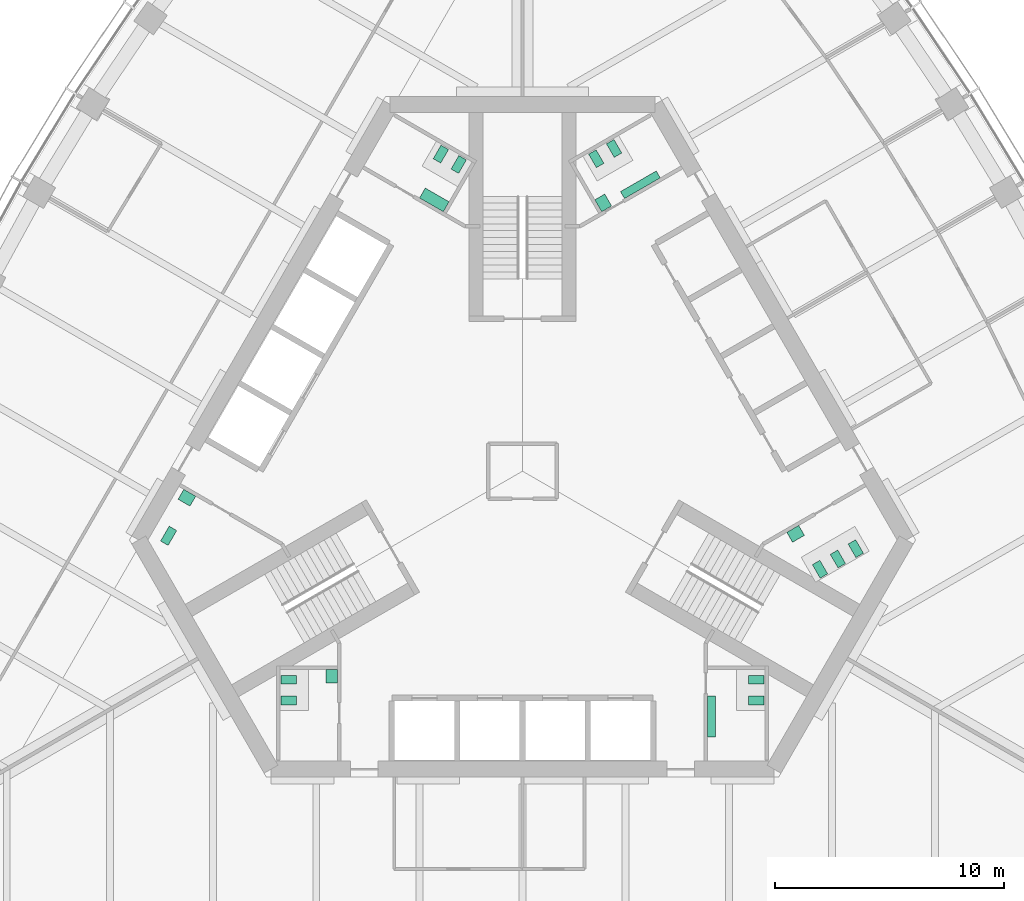
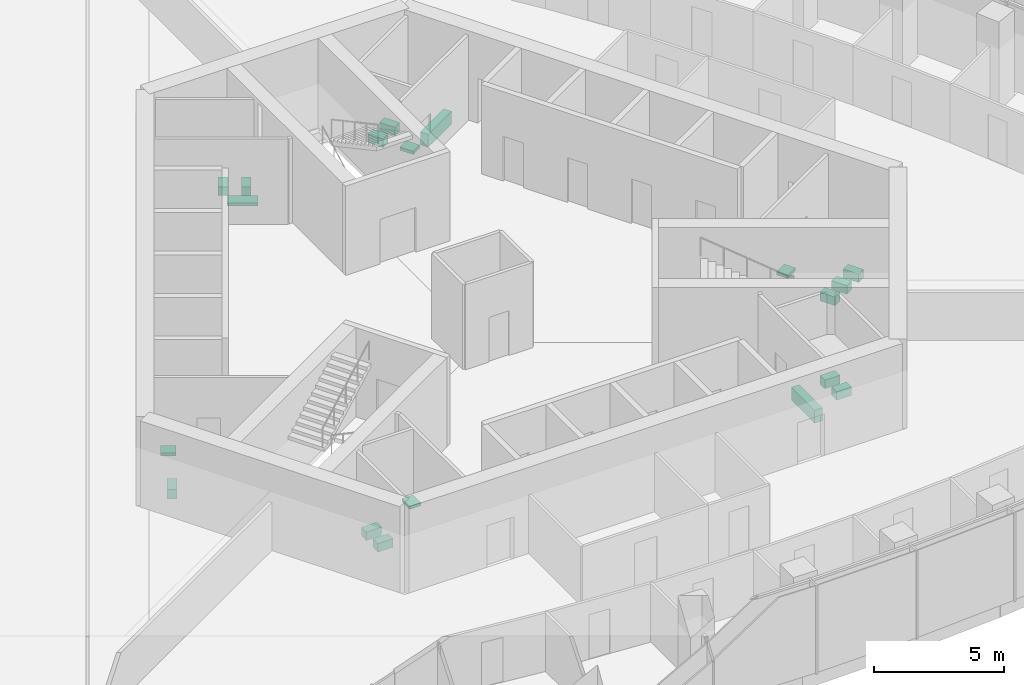
# One storey, part 19 of 20: 19 sanitary terminals.
"""IFC4 building model written with IfcOpenShell, lengths in metres."""

from ifc_helpers import new_model, si_unit, direction, frame, origin, place, context, subcontext, project, spatial, polyline, outline, extrude, material, type_object, element, save


model = new_model("IFC4")

# Units and contexts
model_context = context("Model", 3, precision=1e-05, world=origin(), true_north=direction((0.0, 1.0)))
body_context = subcontext(model_context, "Body", "Model", "MODEL_VIEW")
ifc_project = project(units=[si_unit("LENGTHUNIT", "METRE"), si_unit("AREAUNIT", "SQUARE_METRE"), si_unit("VOLUMEUNIT", "CUBIC_METRE"), si_unit("PLANEANGLEUNIT", "RADIAN"), si_unit("MASSUNIT", "GRAM", prefix="KILO")], contexts=[model_context])

# Site, building, storey
site_placement = place(None, origin())
site = spatial("IfcSite", under=ifc_project, at=site_placement, CompositionType="ELEMENT")
building_placement = place(site_placement, origin())
building = spatial("IfcBuilding", under=site, at=building_placement, Name="Trefoil Bronze Tower", CompositionType="ELEMENT")
storey_placement = place(building_placement, frame((0.0, 0.0, 231.699951171875)))
storey = spatial("IfcBuildingStorey", under=building, at=storey_placement, Name="L53", CompositionType="ELEMENT", Elevation=231.699951171875)

# Sanitary terminals
ifc_material_1 = material(Name="Vitreous china", Category="ceramic")
sanitary_terminal_type_1 = type_object("IfcSanitaryTerminalType", Name="Accessible WC pan", PredefinedType="TOILETPAN", material=ifc_material_1)
sanitary_terminal_1_placement = place(storey_placement, origin())
element("IfcSanitaryTerminal", 1, at=sanitary_terminal_1_placement, inside=storey, type_object=sanitary_terminal_type_1, Name="WC pan 1 Accessible WC L53", PredefinedType="TOILETPAN", context=body_context, shape_type="SweptSolid", body=[
    extrude(outline(polyline([(-15.085693359375, -2.589111328125), (-15.460693359375, -3.238525390625), (-15.789794921875, -3.048583984375), (-15.414794921875, -2.399169921875), (-15.085693359375, -2.589111328125)])), origin(), (0.0, 0.0, 1.0), 0.449951171875),
])
ifc_material_2 = material(Name="Vitreous china", Category="ceramic")
sanitary_terminal_type_2 = type_object("IfcSanitaryTerminalType", Name="Accessible basin", PredefinedType="WASHHANDBASIN", material=ifc_material_2)
sanitary_terminal_2_placement = place(storey_placement, frame((0.0, 0.0, 0.650146484375)))
element("IfcSanitaryTerminal", 2, at=sanitary_terminal_2_placement, inside=storey, type_object=sanitary_terminal_type_2, Name="Wash basin Accessible WC L53", PredefinedType="WASHHANDBASIN", context=body_context, shape_type="SweptSolid", body=[
    extrude(outline(polyline([(-14.256591796875, -1.09326171875), (-14.506591796875, -1.526123046875), (-15.026123046875, -1.22607421875), (-14.776123046875, -0.793212890625), (-14.256591796875, -1.09326171875)])), origin(), (0.0, 0.0, 1.0), 0.14990234375),
])
ifc_material_3 = material(Name="Vitreous china", Category="ceramic")
sanitary_terminal_type_3 = type_object("IfcSanitaryTerminalType", Name="Urinal range 3 urinals", PredefinedType="URINAL", material=ifc_material_3)
sanitary_terminal_3_placement = place(storey_placement, frame((0.0, 0.0, 0.400146484375)))
element("IfcSanitaryTerminal", 3, at=sanitary_terminal_3_placement, inside=storey, type_object=sanitary_terminal_type_3, Name="Urinal range WC (men) L53", PredefinedType="URINAL", context=body_context, shape_type="SweptSolid", body=[
    extrude(outline(polyline([(8.074951171875, -9.800048828125), (8.425048828125, -9.800048828125), (8.425048828125, -11.60009765625), (8.074951171875, -11.60009765625), (8.074951171875, -9.800048828125)])), origin(), (0.0, 0.0, 1.0), 0.599853515625),
])
sanitary_terminal_4_placement = place(storey_placement, frame((0.0, 0.0, 0.400146484375)))
element("IfcSanitaryTerminal", 4, at=sanitary_terminal_4_placement, inside=storey, type_object=sanitary_terminal_type_3, Name="Urinal range WC (men) L53", PredefinedType="URINAL", context=body_context, shape_type="SweptSolid", body=[
    extrude(outline(polyline([(4.449462890625, 11.89306640625), (4.274658203125, 12.1962890625), (5.83349609375, 13.09619140625), (6.00830078125, 12.793212890625), (4.449462890625, 11.89306640625)])), origin(), (0.0, 0.0, 1.0), 0.599853515625),
])
ifc_material_4 = material(Name="Solid surface vanity", Category="plastic")
sanitary_terminal_type_4 = type_object("IfcSanitaryTerminalType", Name="Vanity unit 1 basins", PredefinedType="WASHHANDBASIN", material=ifc_material_4)
sanitary_terminal_5_placement = place(storey_placement, frame((0.0, 0.0, 0.75)))
element("IfcSanitaryTerminal", 5, at=sanitary_terminal_5_placement, inside=storey, type_object=sanitary_terminal_type_4, Name="Vanity unit WC (women) L53", PredefinedType="WASHHANDBASIN", context=body_context, shape_type="SweptSolid", body=[
    extrude(outline(polyline([(11.528564453125, -2.668212890625), (11.778564453125, -3.10107421875), (12.29833984375, -2.80126953125), (12.04833984375, -2.3681640625), (11.528564453125, -2.668212890625)])), origin(), (0.0, 0.0, 1.0), 0.150146484375),
])
sanitary_terminal_6_placement = place(storey_placement, frame((0.0, 0.0, 0.75)))
element("IfcSanitaryTerminal", 6, at=sanitary_terminal_6_placement, inside=storey, type_object=sanitary_terminal_type_4, Name="Vanity unit WC (men) L53", PredefinedType="WASHHANDBASIN", context=body_context, shape_type="SweptSolid", body=[
    extrude(outline(polyline([(3.45361328125, 11.318115234375), (3.153564453125, 11.837890625), (3.586669921875, 12.087890625), (3.88671875, 11.568115234375), (3.45361328125, 11.318115234375)])), origin(), (0.0, 0.0, 1.0), 0.150146484375),
])
sanitary_terminal_7_placement = place(storey_placement, frame((0.0, 0.0, 0.75)))
element("IfcSanitaryTerminal", 7, at=sanitary_terminal_7_placement, inside=storey, type_object=sanitary_terminal_type_4, Name="Vanity unit WC (women) L53", PredefinedType="WASHHANDBASIN", context=body_context, shape_type="SweptSolid", body=[
    extrude(outline(polyline([(-8.074951171875, -8.64990234375), (-8.574951171875, -8.64990234375), (-8.574951171875, -9.25), (-8.074951171875, -9.25), (-8.074951171875, -8.64990234375)])), origin(), (0.0, 0.0, 1.0), 0.150146484375),
])
ifc_material_5 = material(Name="Solid surface vanity", Category="plastic")
sanitary_terminal_type_5 = type_object("IfcSanitaryTerminalType", Name="Vanity unit 2 basins", PredefinedType="WASHHANDBASIN", material=ifc_material_5)
sanitary_terminal_8_placement = place(storey_placement, frame((0.0, 0.0, 0.75)))
element("IfcSanitaryTerminal", 8, at=sanitary_terminal_8_placement, inside=storey, type_object=sanitary_terminal_type_5, Name="Vanity unit WC (women) L53", PredefinedType="WASHHANDBASIN", context=body_context, shape_type="SweptSolid", body=[
    extrude(outline(polyline([(-3.45361328125, 11.318115234375), (-3.20361328125, 11.751220703125), (-4.242919921875, 12.35107421875), (-4.492919921875, 11.918212890625), (-3.45361328125, 11.318115234375)])), origin(), (0.0, 0.0, 1.0), 0.150146484375),
])
ifc_material_6 = material(Name="Vitreous china", Category="ceramic")
sanitary_terminal_type_6 = type_object("IfcSanitaryTerminalType", Name="WC pan", PredefinedType="TOILETPAN", material=ifc_material_6)
sanitary_terminal_9_placement = place(storey_placement, origin())
element("IfcSanitaryTerminal", 9, at=sanitary_terminal_9_placement, inside=storey, type_object=sanitary_terminal_type_6, Name="WC pan 1 WC (men) L53", PredefinedType="TOILETPAN", context=body_context, shape_type="SweptSolid", body=[
    extrude(outline(polyline([(9.85498046875, -8.909912109375), (10.534912109375, -8.909912109375), (10.534912109375, -9.2900390625), (9.85498046875, -9.2900390625), (9.85498046875, -8.909912109375)])), origin(), (0.0, 0.0, 1.0), 0.400146484375),
])
sanitary_terminal_10_placement = place(storey_placement, origin())
element("IfcSanitaryTerminal", 10, at=sanitary_terminal_10_placement, inside=storey, type_object=sanitary_terminal_type_6, Name="WC pan 2 WC (men) L53", PredefinedType="TOILETPAN", context=body_context, shape_type="SweptSolid", body=[
    extrude(outline(polyline([(9.85498046875, -9.81005859375), (10.534912109375, -9.81005859375), (10.534912109375, -10.18994140625), (9.85498046875, -10.18994140625), (9.85498046875, -9.81005859375)])), origin(), (0.0, 0.0, 1.0), 0.400146484375),
])
sanitary_terminal_11_placement = place(storey_placement, origin())
element("IfcSanitaryTerminal", 11, at=sanitary_terminal_11_placement, inside=storey, type_object=sanitary_terminal_type_6, Name="WC pan 1 WC (women) L53", PredefinedType="TOILETPAN", context=body_context, shape_type="SweptSolid", body=[
    extrude(outline(polyline([(12.643798828125, -4.07958984375), (12.98388671875, -4.66845703125), (13.31298828125, -4.478515625), (12.972900390625, -3.8896484375), (12.643798828125, -4.07958984375)])), origin(), (0.0, 0.0, 1.0), 0.400146484375),
])
sanitary_terminal_12_placement = place(storey_placement, origin())
element("IfcSanitaryTerminal", 12, at=sanitary_terminal_12_placement, inside=storey, type_object=sanitary_terminal_type_6, Name="WC pan 2 WC (women) L53", PredefinedType="TOILETPAN", context=body_context, shape_type="SweptSolid", body=[
    extrude(outline(polyline([(13.423095703125, -3.629638671875), (13.76318359375, -4.218505859375), (14.09228515625, -4.028564453125), (13.752197265625, -3.439697265625), (13.423095703125, -3.629638671875)])), origin(), (0.0, 0.0, 1.0), 0.400146484375),
])
sanitary_terminal_13_placement = place(storey_placement, origin())
element("IfcSanitaryTerminal", 13, at=sanitary_terminal_13_placement, inside=storey, type_object=sanitary_terminal_type_6, Name="WC pan 3 WC (women) L53", PredefinedType="TOILETPAN", context=body_context, shape_type="SweptSolid", body=[
    extrude(outline(polyline([(14.20263671875, -3.1796875), (14.542724609375, -3.7685546875), (14.871826171875, -3.57861328125), (14.53173828125, -2.98974609375), (14.20263671875, -3.1796875)])), origin(), (0.0, 0.0, 1.0), 0.400146484375),
])
sanitary_terminal_14_placement = place(storey_placement, origin())
element("IfcSanitaryTerminal", 14, at=sanitary_terminal_14_placement, inside=storey, type_object=sanitary_terminal_type_6, Name="WC pan 1 WC (men) L53", PredefinedType="TOILETPAN", context=body_context, shape_type="SweptSolid", body=[
    extrude(outline(polyline([(3.2216796875, 13.23974609375), (2.8818359375, 13.82861328125), (3.2109375, 14.0185546875), (3.55078125, 13.4296875), (3.2216796875, 13.23974609375)])), origin(), (0.0, 0.0, 1.0), 0.400146484375),
])
sanitary_terminal_15_placement = place(storey_placement, origin())
element("IfcSanitaryTerminal", 15, at=sanitary_terminal_15_placement, inside=storey, type_object=sanitary_terminal_type_6, Name="WC pan 2 WC (men) L53", PredefinedType="TOILETPAN", context=body_context, shape_type="SweptSolid", body=[
    extrude(outline(polyline([(4.001220703125, 13.689697265625), (3.6611328125, 14.278564453125), (3.990234375, 14.468505859375), (4.330322265625, 13.879638671875), (4.001220703125, 13.689697265625)])), origin(), (0.0, 0.0, 1.0), 0.400146484375),
])
sanitary_terminal_16_placement = place(storey_placement, origin())
element("IfcSanitaryTerminal", 16, at=sanitary_terminal_16_placement, inside=storey, type_object=sanitary_terminal_type_6, Name="WC pan 1 WC (women) L53", PredefinedType="TOILETPAN", context=body_context, shape_type="SweptSolid", body=[
    extrude(outline(polyline([(-2.788818359375, 12.98974609375), (-2.44873046875, 13.57861328125), (-2.77783203125, 13.7685546875), (-3.117919921875, 13.1796875), (-2.788818359375, 12.98974609375)])), origin(), (0.0, 0.0, 1.0), 0.400146484375),
])
sanitary_terminal_17_placement = place(storey_placement, origin())
element("IfcSanitaryTerminal", 17, at=sanitary_terminal_17_placement, inside=storey, type_object=sanitary_terminal_type_6, Name="WC pan 2 WC (women) L53", PredefinedType="TOILETPAN", context=body_context, shape_type="SweptSolid", body=[
    extrude(outline(polyline([(-3.568115234375, 13.439697265625), (-3.228271484375, 14.028564453125), (-3.557373046875, 14.218505859375), (-3.897216796875, 13.629638671875), (-3.568115234375, 13.439697265625)])), origin(), (0.0, 0.0, 1.0), 0.400146484375),
])
sanitary_terminal_18_placement = place(storey_placement, origin())
element("IfcSanitaryTerminal", 18, at=sanitary_terminal_18_placement, inside=storey, type_object=sanitary_terminal_type_6, Name="WC pan 1 WC (women) L53", PredefinedType="TOILETPAN", context=body_context, shape_type="SweptSolid", body=[
    extrude(outline(polyline([(-9.85498046875, -8.909912109375), (-10.534912109375, -8.909912109375), (-10.534912109375, -9.2900390625), (-9.85498046875, -9.2900390625), (-9.85498046875, -8.909912109375)])), origin(), (0.0, 0.0, 1.0), 0.400146484375),
])
sanitary_terminal_19_placement = place(storey_placement, origin())
element("IfcSanitaryTerminal", 19, at=sanitary_terminal_19_placement, inside=storey, type_object=sanitary_terminal_type_6, Name="WC pan 2 WC (women) L53", PredefinedType="TOILETPAN", context=body_context, shape_type="SweptSolid", body=[
    extrude(outline(polyline([(-9.85498046875, -9.81005859375), (-10.534912109375, -9.81005859375), (-10.534912109375, -10.18994140625), (-9.85498046875, -10.18994140625), (-9.85498046875, -9.81005859375)])), origin(), (0.0, 0.0, 1.0), 0.400146484375),
])

save(model, "model.ifc")
